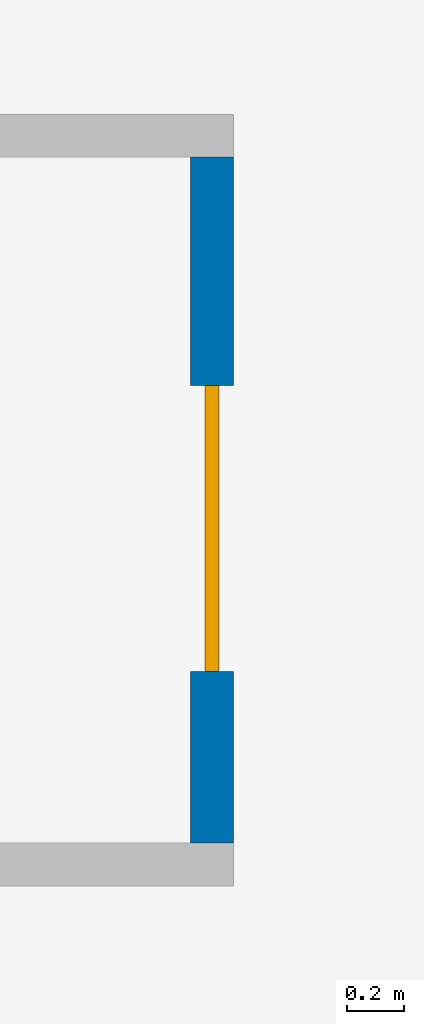
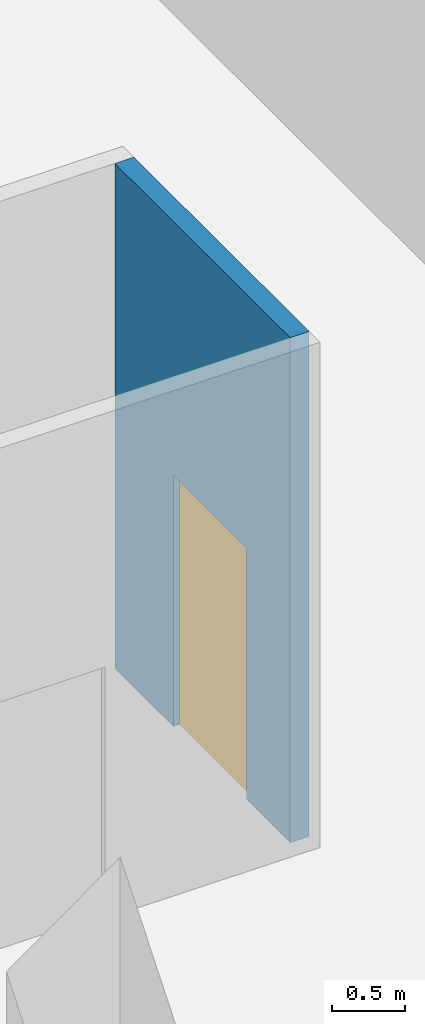
# One storey, part 11 of 13: 1 door, 1 wall, 1 opening.
"""IFC4 building model written with IfcOpenShell, lengths in metres."""

from ifc_helpers import new_model, si_unit, direction, frame, frame_2d, origin, place, context, subcontext, project, spatial, rectangle, extrude, source, transform, mapped, material, layer, layer_set, type_object, element, fill, save


model = new_model("IFC4")

# Units and contexts
model_context = context("Model", 3, precision=1e-05, world=origin(), true_north=direction((0.0, 1.0)))
body_context = subcontext(model_context, "Body", "Model", "MODEL_VIEW")
ifc_project = project(units=[si_unit("LENGTHUNIT", "METRE"), si_unit("AREAUNIT", "SQUARE_METRE"), si_unit("VOLUMEUNIT", "CUBIC_METRE"), si_unit("PLANEANGLEUNIT", "RADIAN"), si_unit("MASSUNIT", "GRAM", prefix="KILO")], contexts=[model_context])

# Site, building, storey
site_placement = place(None, origin())
site = spatial("IfcSite", under=ifc_project, at=site_placement, CompositionType="ELEMENT")
building_placement = place(site_placement, origin())
building = spatial("IfcBuilding", under=site, at=building_placement, Name="Vanashikhar Sky Hotel", CompositionType="ELEMENT")
storey_placement = place(building_placement, frame((0.0, 0.0, -9.0)))
storey = spatial("IfcBuildingStorey", under=building, at=storey_placement, Name="B2", CompositionType="ELEMENT", Elevation=-9.0)

# Wall, opening, door
ifc_material_1 = material(Name="Concrete M30", Category="concrete")
ifc_layer = layer(ifc_material_1, 0.14990234375)
ifc_layer_set = layer_set([ifc_layer], Name="Car park partition 150 mm")
wall_type = type_object("IfcWallType", Name="Car park partition 150 mm", PredefinedType="PARTITIONING", material=ifc_layer_set)
shared_shape_1 = source(origin(), body_context, "Body", "SweptSolid", [
    extrude(rectangle(XDim=2.39990234375, YDim=0.14990234375, at=frame_2d((1.199951171875, 0.0))), origin(), (0.0, 0.0, 1.0), 4.219970703125),
])
wall_placement = place(storey_placement, frame((120.824951171875, 19.60009765625, 0.0), z_axis=(0.0, 0.0, 1.0), x_axis=(0.0, 1.0, 0.0)))
wall = element("IfcWall", 1, at=wall_placement, inside=storey, type_object=wall_type, Name="Car park partition", PredefinedType="PARTITIONING", context=body_context, shape_type="MappedRepresentation", body=[
    mapped(shared_shape_1, transform((0.0, 0.0, 0.0), scale=1.0)),
])
shared_shape_2 = source(origin(), body_context, "Body", "SweptSolid", [
    extrude(rectangle(XDim=1.0, YDim=2.10009765625, at=frame_2d((0.5, 1.050048828125))), frame((0.0, 0.0849609375, 0.0), z_axis=(0.0, -1.0, 0.0), x_axis=(1.0, 0.0, 0.0)), (0.0, 0.0, 1.0), 0.169921875),
])
opening_placement = place(wall_placement, frame((0.60009765625, 0.0, 0.0)))
opening = element("IfcOpeningElement", 2, at=opening_placement, cuts=wall, Name="Opening PD-06", PredefinedType="OPENING", context=body_context, shape_type="MappedRepresentation", body=[
    mapped(shared_shape_2, transform((0.0, 0.0, 0.0), scale=1.0)),
])
ifc_material_2 = material(Name="Steel S355", Category="steel")
door_type = type_object("IfcDoorType", Name="Car park lobby door 1000 FD120", OperationType="NOTDEFINED", PredefinedType="DOOR", material=ifc_material_2)
shared_shape_3 = source(origin(), body_context, "Body", "SweptSolid", [
    extrude(rectangle(XDim=1.0, YDim=2.10009765625, at=frame_2d((0.5, 1.050048828125))), frame((0.0, 0.02490234375, 0.0), z_axis=(0.0, -1.0, 0.0), x_axis=(1.0, 0.0, 0.0)), (0.0, 0.0, 1.0), 0.050048828125),
])
door_placement = place(opening_placement, origin())
door = element("IfcDoor", 3, at=door_placement, inside=storey, type_object=door_type, Name="Car park lobby door", OperationType="SINGLE_SWING_RIGHT", OverallHeight=2.10009765625, OverallWidth=1.0, PredefinedType="DOOR", context=body_context, shape_type="MappedRepresentation", body=[
    mapped(shared_shape_3, transform((0.0, 0.0, 0.0), scale=1.0)),
])
fill(opening, door)

save(model, "model.ifc")
